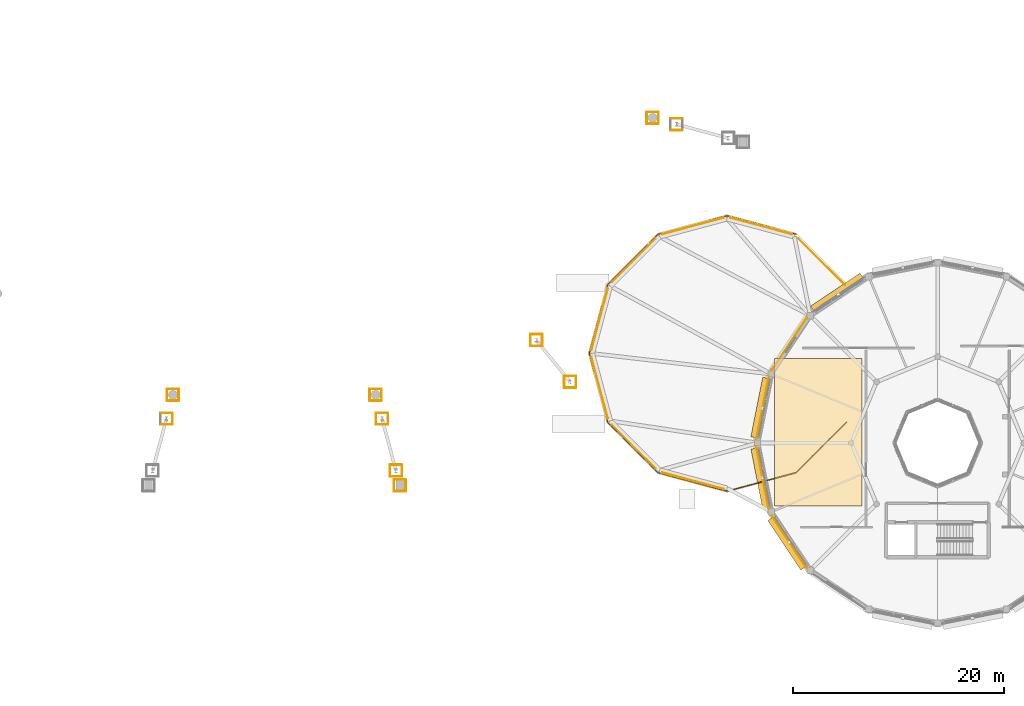
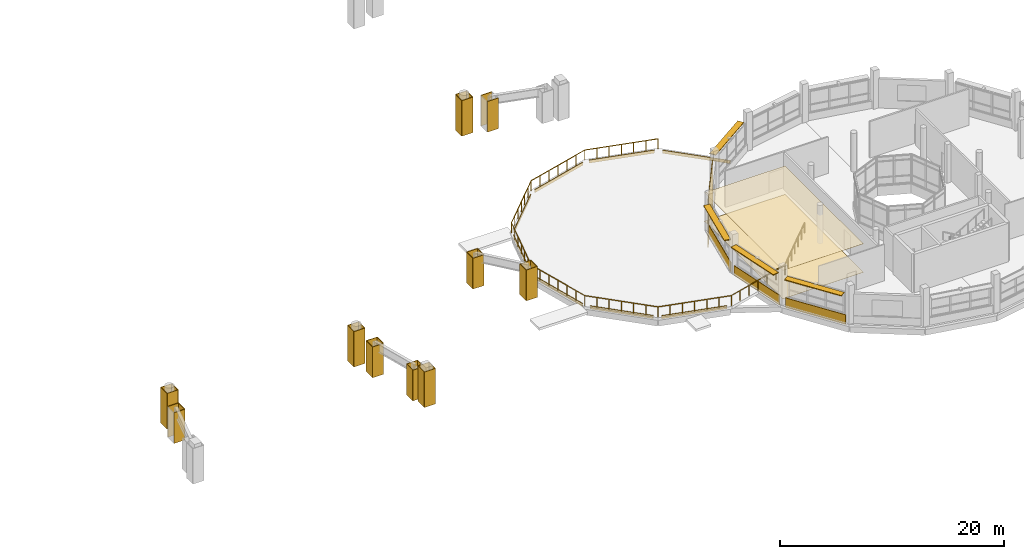
# One storey, part 122 of 128: 51 coverings, 4 shading devices, 1 railing.
"""IFC4 building model written with IfcOpenShell, lengths in metres."""

from ifc_helpers import new_model, si_unit, direction, frame, frame_2d, origin, origin_2d, place, context, subcontext, project, spatial, polyline, rectangle, circle, outline, extrude, material, layer, layer_set, type_object, element, save


model = new_model("IFC4")

# Units and contexts
model_context = context("Model", 3, precision=1e-05, world=origin(), true_north=direction((0.0, 1.0)))
body_context = subcontext(model_context, "Body", "Model", "MODEL_VIEW")
ifc_project = project(units=[si_unit("LENGTHUNIT", "METRE"), si_unit("AREAUNIT", "SQUARE_METRE"), si_unit("VOLUMEUNIT", "CUBIC_METRE"), si_unit("PLANEANGLEUNIT", "RADIAN"), si_unit("MASSUNIT", "GRAM", prefix="KILO")], contexts=[model_context])

# Site, building, storey
site_placement = place(None, origin())
site = spatial("IfcSite", under=ifc_project, at=site_placement, CompositionType="ELEMENT")
building_placement = place(site_placement, origin())
building = spatial("IfcBuilding", under=site, at=building_placement, Name="Vespera Passage Community Centre", CompositionType="ELEMENT")
storey_placement = place(building_placement, frame((0.0, 0.0, 4.5)))
storey = spatial("IfcBuildingStorey", under=building, at=storey_placement, Name="L01", CompositionType="ELEMENT", Elevation=4.5)

# Coverings
ifc_material_1 = material(Name="Acoustic mineral-fibre tile")
ifc_layer_1 = layer(ifc_material_1, 0.02490234375)
ifc_layer_set_1 = layer_set([ifc_layer_1], Name="Acoustic mineral-fibre tile")
covering_type_1 = type_object("IfcCoveringType", Name="COV-CEIL-25I", PredefinedType="CEILING", material=ifc_layer_set_1)
covering_1_placement = place(storey_placement, frame((0.0, 0.0, 3.10009765625)))
element("IfcCovering", 1, at=covering_1_placement, inside=storey, type_object=covering_type_1, Name="Banquet Mezzanine Acoustic Ceiling", PredefinedType="CEILING", context=body_context, shape_type="SweptSolid", body=[
    extrude(outline(polyline([(125.5, 19.0), (133.800048828125, 19.0), (133.800048828125, 33.0), (125.5, 33.0), (125.5, 19.0)])), origin(), (0.0, 0.0, 1.0), 0.02490234375),
])
ifc_material_2 = material(Name="Precast concrete f'c 40 MPa", Category="concrete")
ifc_layer_2 = layer(ifc_material_2, 0.06005859375)
ifc_layer_set_2 = layer_set([ifc_layer_2], Name="Precast concrete f'c 40 MPa")
covering_type_2 = type_object("IfcCoveringType", Name="COV-CLAD-60E", PredefinedType="CLADDING", material=ifc_layer_set_2)
covering_2_placement = place(storey_placement, frame((67.81201171875, 29.007568359375, 0.0), z_axis=(0.0, 0.0, 1.0), x_axis=(1.0, 0.0, 0.0)))
element("IfcCovering", 2, at=covering_2_placement, inside=storey, type_object=covering_type_2, Name="Pylon 17.0 I L01 White Architectural Casing 1", PredefinedType="CLADDING", context=body_context, shape_type="SweptSolid", body=[
    extrude(rectangle(XDim=1.119873046875, YDim=0.06005859375, at=frame_2d((0.56005859375, 0.0))), origin(), (0.0, 0.0, 1.0), 3.860107421875),
])
covering_3_placement = place(storey_placement, frame((68.931884765625, 29.007568359375, 0.0), z_axis=(0.0, 0.0, 1.0), x_axis=(0.0, 1.0, 0.0)))
element("IfcCovering", 3, at=covering_3_placement, inside=storey, type_object=covering_type_2, Name="Pylon 17.0 I L01 White Architectural Casing 2", PredefinedType="CLADDING", context=body_context, shape_type="SweptSolid", body=[
    extrude(rectangle(XDim=1.1201171875, YDim=0.06005859375, at=frame_2d((0.56005859375, 0.0))), origin(), (0.0, 0.0, 1.0), 3.860107421875),
])
covering_4_placement = place(storey_placement, frame((68.931884765625, 30.127685546875, 0.0), z_axis=(0.0, 0.0, 1.0), x_axis=(-1.0, 0.0, 0.0)))
element("IfcCovering", 4, at=covering_4_placement, inside=storey, type_object=covering_type_2, Name="Pylon 17.0 I L01 White Architectural Casing 3", PredefinedType="CLADDING", context=body_context, shape_type="SweptSolid", body=[
    extrude(rectangle(XDim=1.119873046875, YDim=0.06005859375, at=frame_2d((0.56005859375, 0.0))), origin(), (0.0, 0.0, 1.0), 3.860107421875),
])
covering_5_placement = place(storey_placement, frame((67.81201171875, 30.127685546875, 0.0), z_axis=(0.0, 0.0, 1.0), x_axis=(0.0, -1.0, 0.0)))
element("IfcCovering", 5, at=covering_5_placement, inside=storey, type_object=covering_type_2, Name="Pylon 17.0 I L01 White Architectural Casing 4", PredefinedType="CLADDING", context=body_context, shape_type="SweptSolid", body=[
    extrude(rectangle(XDim=1.1201171875, YDim=0.06005859375, at=frame_2d((0.56005859375, 0.0))), origin(), (0.0, 0.0, 1.0), 3.860107421875),
])
for number, where, z_axis, x_axis, name in (
    (6, (67.20361328125, 26.737548828125, 0.0), (0.0, 0.0, 1.0), (1.0, 0.0, 0.0), "Pylon 17.0 TI L01 White Architectural Casing 1"),
    (7, (68.32373046875, 26.737548828125, 0.0), (0.0, 0.0, 1.0), (0.0, 1.0, 0.0), "Pylon 17.0 TI L01 White Architectural Casing 2"),
    (8, (68.32373046875, 27.857666015625, 0.0), (0.0, 0.0, 1.0), (-1.0, 0.0, 0.0), "Pylon 17.0 TI L01 White Architectural Casing 3"),
):
    element("IfcCovering", number, at=place(storey_placement, frame(where, z_axis=z_axis, x_axis=x_axis)), inside=storey, type_object=covering_type_2, Name=name, PredefinedType="CLADDING", context=body_context, shape_type="SweptSolid", body=[
        extrude(rectangle(XDim=1.1201171875, YDim=0.06005859375, at=frame_2d((0.56005859375, 0.0))), origin(), (0.0, 0.0, 1.0), 3.35009765625),
    ])
covering_6_placement = place(storey_placement, frame((89.37158203125, 20.410888671875, 0.0), z_axis=(0.0, 0.0, 1.0), x_axis=(1.0, 0.0, 0.0)))
element("IfcCovering", 9, at=covering_6_placement, inside=storey, type_object=covering_type_2, Name="Pylon 19.0 O L01 White Architectural Casing 1", PredefinedType="CLADDING", context=body_context, shape_type="SweptSolid", body=[
    extrude(rectangle(XDim=1.1201171875, YDim=0.06005859375, at=frame_2d((0.56005859375, 0.0))), origin(), (0.0, 0.0, 1.0), 3.860107421875),
])
covering_7_placement = place(storey_placement, frame((90.49169921875, 20.410888671875, 0.0), z_axis=(0.0, 0.0, 1.0), x_axis=(0.0, 1.0, 0.0)))
element("IfcCovering", 10, at=covering_7_placement, inside=storey, type_object=covering_type_2, Name="Pylon 19.0 O L01 White Architectural Casing 2", PredefinedType="CLADDING", context=body_context, shape_type="SweptSolid", body=[
    extrude(rectangle(XDim=1.119873046875, YDim=0.06005859375, at=frame_2d((0.56005859375, 0.0))), origin(), (0.0, 0.0, 1.0), 3.860107421875),
])
covering_8_placement = place(storey_placement, frame((90.49169921875, 21.53076171875, 0.0), z_axis=(0.0, 0.0, 1.0), x_axis=(-1.0, 0.0, 0.0)))
element("IfcCovering", 11, at=covering_8_placement, inside=storey, type_object=covering_type_2, Name="Pylon 19.0 O L01 White Architectural Casing 3", PredefinedType="CLADDING", context=body_context, shape_type="SweptSolid", body=[
    extrude(rectangle(XDim=1.1201171875, YDim=0.06005859375, at=frame_2d((0.56005859375, 0.0))), origin(), (0.0, 0.0, 1.0), 3.860107421875),
])
for number, where, z_axis, x_axis, name in (
    (12, (89.37158203125, 21.53076171875, 0.0), (0.0, 0.0, 1.0), (0.0, -1.0, 0.0), "Pylon 19.0 O L01 White Architectural Casing 4"),
    (13, (87.068115234375, 29.007568359375, 0.0), (0.0, 0.0, 1.0), (1.0, 0.0, 0.0), "Pylon 19.0 I L01 White Architectural Casing 1"),
):
    element("IfcCovering", number, at=place(storey_placement, frame(where, z_axis=z_axis, x_axis=x_axis)), inside=storey, type_object=covering_type_2, Name=name, PredefinedType="CLADDING", context=body_context, shape_type="SweptSolid", body=[
        extrude(rectangle(XDim=1.119873046875, YDim=0.06005859375, at=frame_2d((0.56005859375, 0.0))), origin(), (0.0, 0.0, 1.0), 3.860107421875),
    ])
covering_9_placement = place(storey_placement, frame((88.18798828125, 29.007568359375, 0.0), z_axis=(0.0, 0.0, 1.0), x_axis=(0.0, 1.0, 0.0)))
element("IfcCovering", 14, at=covering_9_placement, inside=storey, type_object=covering_type_2, Name="Pylon 19.0 I L01 White Architectural Casing 2", PredefinedType="CLADDING", context=body_context, shape_type="SweptSolid", body=[
    extrude(rectangle(XDim=1.1201171875, YDim=0.06005859375, at=frame_2d((0.56005859375, 0.0))), origin(), (0.0, 0.0, 1.0), 3.860107421875),
])
covering_10_placement = place(storey_placement, frame((88.18798828125, 30.127685546875, 0.0), z_axis=(0.0, 0.0, 1.0), x_axis=(-1.0, 0.0, 0.0)))
element("IfcCovering", 15, at=covering_10_placement, inside=storey, type_object=covering_type_2, Name="Pylon 19.0 I L01 White Architectural Casing 3", PredefinedType="CLADDING", context=body_context, shape_type="SweptSolid", body=[
    extrude(rectangle(XDim=1.119873046875, YDim=0.06005859375, at=frame_2d((0.56005859375, 0.0))), origin(), (0.0, 0.0, 1.0), 3.860107421875),
])
covering_11_placement = place(storey_placement, frame((87.068115234375, 30.127685546875, 0.0), z_axis=(0.0, 0.0, 1.0), x_axis=(0.0, -1.0, 0.0)))
element("IfcCovering", 16, at=covering_11_placement, inside=storey, type_object=covering_type_2, Name="Pylon 19.0 I L01 White Architectural Casing 4", PredefinedType="CLADDING", context=body_context, shape_type="SweptSolid", body=[
    extrude(rectangle(XDim=1.1201171875, YDim=0.06005859375, at=frame_2d((0.56005859375, 0.0))), origin(), (0.0, 0.0, 1.0), 3.860107421875),
])
covering_12_placement = place(storey_placement, frame((88.996337890625, 21.811279296875, 0.0), z_axis=(0.0, 0.0, 1.0), x_axis=(1.0, 0.0, 0.0)))
element("IfcCovering", 17, at=covering_12_placement, inside=storey, type_object=covering_type_2, Name="Pylon 19.0 TO L01 White Architectural Casing 1", PredefinedType="CLADDING", context=body_context, shape_type="SweptSolid", body=[
    extrude(rectangle(XDim=1.119873046875, YDim=0.06005859375, at=frame_2d((0.56005859375, 0.0))), origin(), (0.0, 0.0, 1.0), 3.35009765625),
])
covering_13_placement = place(storey_placement, frame((90.1162109375, 21.811279296875, 0.0), z_axis=(0.0, 0.0, 1.0), x_axis=(0.0, 1.0, 0.0)))
element("IfcCovering", 18, at=covering_13_placement, inside=storey, type_object=covering_type_2, Name="Pylon 19.0 TO L01 White Architectural Casing 2", PredefinedType="CLADDING", context=body_context, shape_type="SweptSolid", body=[
    extrude(rectangle(XDim=1.1201171875, YDim=0.06005859375, at=frame_2d((0.56005859375, 0.0))), origin(), (0.0, 0.0, 1.0), 3.35009765625),
])
covering_14_placement = place(storey_placement, frame((90.1162109375, 22.931396484375, 0.0), z_axis=(0.0, 0.0, 1.0), x_axis=(-1.0, 0.0, 0.0)))
element("IfcCovering", 19, at=covering_14_placement, inside=storey, type_object=covering_type_2, Name="Pylon 19.0 TO L01 White Architectural Casing 3", PredefinedType="CLADDING", context=body_context, shape_type="SweptSolid", body=[
    extrude(rectangle(XDim=1.119873046875, YDim=0.06005859375, at=frame_2d((0.56005859375, 0.0))), origin(), (0.0, 0.0, 1.0), 3.35009765625),
])
for number, where, z_axis, x_axis, name in (
    (20, (88.996337890625, 22.931396484375, 0.0), (0.0, 0.0, 1.0), (0.0, -1.0, 0.0), "Pylon 19.0 TO L01 White Architectural Casing 4"),
    (21, (87.67626953125, 26.737548828125, 0.0), (0.0, 0.0, 1.0), (1.0, 0.0, 0.0), "Pylon 19.0 TI L01 White Architectural Casing 1"),
    (22, (88.79638671875, 26.737548828125, 0.0), (0.0, 0.0, 1.0), (0.0, 1.0, 0.0), "Pylon 19.0 TI L01 White Architectural Casing 2"),
    (23, (88.79638671875, 27.857666015625, 0.0), (0.0, 0.0, 1.0), (-1.0, 0.0, 0.0), "Pylon 19.0 TI L01 White Architectural Casing 3"),
    (24, (87.67626953125, 27.857666015625, 0.0), (0.0, 0.0, 1.0), (0.0, -1.0, 0.0), "Pylon 19.0 TI L01 White Architectural Casing 4"),
):
    element("IfcCovering", number, at=place(storey_placement, frame(where, z_axis=z_axis, x_axis=x_axis)), inside=storey, type_object=covering_type_2, Name=name, PredefinedType="CLADDING", context=body_context, shape_type="SweptSolid", body=[
        extrude(rectangle(XDim=1.1201171875, YDim=0.06005859375, at=frame_2d((0.56005859375, 0.0))), origin(), (0.0, 0.0, 1.0), 3.35009765625),
    ])
for number, where, z_axis, x_axis, name in (
    (25, (105.539306640625, 30.240478515625, 0.0), (0.0, 0.0, 1.0), (1.0, 0.0, 0.0), "Pylon 20.6 TO L01 White Architectural Casing 1"),
    (26, (106.6591796875, 30.240478515625, 0.0), (0.0, 0.0, 1.0), (0.0, 1.0, 0.0), "Pylon 20.6 TO L01 White Architectural Casing 2"),
    (27, (106.6591796875, 31.3603515625, 0.0), (0.0, 0.0, 1.0), (-1.0, 0.0, 0.0), "Pylon 20.6 TO L01 White Architectural Casing 3"),
    (28, (105.539306640625, 31.3603515625, 0.0), (0.0, 0.0, 1.0), (0.0, -1.0, 0.0), "Pylon 20.6 TO L01 White Architectural Casing 4"),
):
    element("IfcCovering", number, at=place(storey_placement, frame(where, z_axis=z_axis, x_axis=x_axis)), inside=storey, type_object=covering_type_2, Name=name, PredefinedType="CLADDING", context=body_context, shape_type="SweptSolid", body=[
        extrude(rectangle(XDim=1.119873046875, YDim=0.06005859375, at=frame_2d((0.56005859375, 0.0))), origin(), (0.0, 0.0, 1.0), 3.35009765625),
    ])
for number, where, z_axis, x_axis, name in (
    (29, (102.32958984375, 34.203857421875, 0.0), (0.0, 0.0, 1.0), (1.0, 0.0, 0.0), "Pylon 20.6 TI L01 White Architectural Casing 1"),
    (30, (103.44970703125, 34.203857421875, 0.0), (0.0, 0.0, 1.0), (0.0, 1.0, 0.0), "Pylon 20.6 TI L01 White Architectural Casing 2"),
    (31, (103.44970703125, 35.323974609375, 0.0), (0.0, 0.0, 1.0), (-1.0, 0.0, 0.0), "Pylon 20.6 TI L01 White Architectural Casing 3"),
    (32, (102.32958984375, 35.323974609375, 0.0), (0.0, 0.0, 1.0), (0.0, -1.0, 0.0), "Pylon 20.6 TI L01 White Architectural Casing 4"),
):
    element("IfcCovering", number, at=place(storey_placement, frame(where, z_axis=z_axis, x_axis=x_axis)), inside=storey, type_object=covering_type_2, Name=name, PredefinedType="CLADDING", context=body_context, shape_type="SweptSolid", body=[
        extrude(rectangle(XDim=1.1201171875, YDim=0.06005859375, at=frame_2d((0.56005859375, 0.0))), origin(), (0.0, 0.0, 1.0), 3.35009765625),
    ])
covering_15_placement = place(storey_placement, frame((113.372314453125, 55.31201171875, 0.0), z_axis=(0.0, 0.0, 1.0), x_axis=(1.0, 0.0, 0.0)))
element("IfcCovering", 33, at=covering_15_placement, inside=storey, type_object=covering_type_2, Name="Pylon 23.0 I L01 White Architectural Casing 1", PredefinedType="CLADDING", context=body_context, shape_type="SweptSolid", body=[
    extrude(rectangle(XDim=1.1201171875, YDim=0.06005859375, at=frame_2d((0.56005859375, 0.0))), origin(), (0.0, 0.0, 1.0), 3.860107421875),
])
covering_16_placement = place(storey_placement, frame((114.492431640625, 55.31201171875, 0.0), z_axis=(0.0, 0.0, 1.0), x_axis=(0.0, 1.0, 0.0)))
element("IfcCovering", 34, at=covering_16_placement, inside=storey, type_object=covering_type_2, Name="Pylon 23.0 I L01 White Architectural Casing 2", PredefinedType="CLADDING", context=body_context, shape_type="SweptSolid", body=[
    extrude(rectangle(XDim=1.119873046875, YDim=0.06005859375, at=frame_2d((0.56005859375, 0.0))), origin(), (0.0, 0.0, 1.0), 3.860107421875),
])
covering_17_placement = place(storey_placement, frame((114.492431640625, 56.431884765625, 0.0), z_axis=(0.0, 0.0, 1.0), x_axis=(-1.0, 0.0, 0.0)))
element("IfcCovering", 35, at=covering_17_placement, inside=storey, type_object=covering_type_2, Name="Pylon 23.0 I L01 White Architectural Casing 3", PredefinedType="CLADDING", context=body_context, shape_type="SweptSolid", body=[
    extrude(rectangle(XDim=1.1201171875, YDim=0.06005859375, at=frame_2d((0.56005859375, 0.0))), origin(), (0.0, 0.0, 1.0), 3.860107421875),
])
covering_18_placement = place(storey_placement, frame((113.372314453125, 56.431884765625, 0.0), z_axis=(0.0, 0.0, 1.0), x_axis=(0.0, -1.0, 0.0)))
element("IfcCovering", 36, at=covering_18_placement, inside=storey, type_object=covering_type_2, Name="Pylon 23.0 I L01 White Architectural Casing 4", PredefinedType="CLADDING", context=body_context, shape_type="SweptSolid", body=[
    extrude(rectangle(XDim=1.119873046875, YDim=0.06005859375, at=frame_2d((0.56005859375, 0.0))), origin(), (0.0, 0.0, 1.0), 3.860107421875),
])
for number, where, z_axis, x_axis, name in (
    (37, (115.642333984375, 54.70361328125, 0.0), (0.0, 0.0, 1.0), (1.0, 0.0, 0.0), "Pylon 23.0 TI L01 White Architectural Casing 1"),
    (38, (116.762451171875, 55.82373046875, 0.0), (0.0, 0.0, 1.0), (-1.0, 0.0, 0.0), "Pylon 23.0 TI L01 White Architectural Casing 3"),
):
    element("IfcCovering", number, at=place(storey_placement, frame(where, z_axis=z_axis, x_axis=x_axis)), inside=storey, type_object=covering_type_2, Name=name, PredefinedType="CLADDING", context=body_context, shape_type="SweptSolid", body=[
        extrude(rectangle(XDim=1.1201171875, YDim=0.06005859375, at=frame_2d((0.56005859375, 0.0))), origin(), (0.0, 0.0, 1.0), 3.35009765625),
    ])
covering_19_placement = place(storey_placement, frame((125.246826171875, 31.91748046875, -2.10009765625), z_axis=(0.0, 0.0, 1.0), x_axis=(0.555573083966, 0.831467707354, 0.0)))
element("IfcCovering", 39, at=covering_19_placement, inside=storey, type_object=covering_type_2, Name="V3 L01 Cafe Terrace Portal Band", PredefinedType="CLADDING", context=body_context, shape_type="SweptSolid", body=[
    extrude(rectangle(XDim=6.00048828125, YDim=0.06005859375, at=frame_2d((3.000244140625, 0.0))), origin(), (0.0, 0.0, 1.0), 5.295166015625),
])
for number, where, z_axis, x_axis, name in (
    (40, (123.7880859375, 25.30859375, -0.260009765625), (0.0, 0.0, 1.0), (0.195101780047, 0.98078300119, 0.0), "V3 L01 White Spandrel Band 8"),
    (41, (124.980224609375, 18.698486328125, -0.260009765625), (0.0, 0.0, 1.0), (-0.195101780047, 0.98078300119, 0.0), "V3 L01 White Spandrel Band 9"),
):
    element("IfcCovering", number, at=place(storey_placement, frame(where, z_axis=z_axis, x_axis=x_axis)), inside=storey, type_object=covering_type_2, Name=name, PredefinedType="CLADDING", context=body_context, shape_type="SweptSolid", body=[
        extrude(rectangle(XDim=6.1103515625, YDim=0.06005859375, at=frame_2d((3.05517578125, 0.0))), origin(), (0.0, 0.0, 1.0), 1.06005859375),
    ])
covering_20_placement = place(storey_placement, frame((128.58056640625, 13.09326171875, -0.260009765625), z_axis=(0.0, 0.0, 1.0), x_axis=(-0.555573083966, 0.831467707354, 0.0)))
element("IfcCovering", 42, at=covering_20_placement, inside=storey, type_object=covering_type_2, Name="V3 L01 White Spandrel Band 10", PredefinedType="CLADDING", context=body_context, shape_type="SweptSolid", body=[
    extrude(rectangle(XDim=6.00048828125, YDim=0.06005859375, at=frame_2d((3.000244140625, 0.0))), origin(), (0.0, 0.0, 1.0), 1.06005859375),
])
covering_21_placement = place(storey_placement, frame((127.802490234375, 44.423095703125, -0.320068359375), z_axis=(0.0, 0.0, 1.0), x_axis=(0.707106781187, -0.707106781187, 0.0)))
element("IfcCovering", 43, at=covering_21_placement, inside=storey, type_object=covering_type_2, Name="V3A L01 Terrace Edge White Band 2", PredefinedType="CLADDING", context=body_context, shape_type="SweptSolid", body=[
    extrude(rectangle(XDim=6.2265625, YDim=0.06005859375, at=frame_2d((3.11328125, 0.0))), origin(), (0.0, 0.0, 1.0), 0.340087890625),
])
for number, where, z_axis, x_axis, name in (
    (44, (121.31982421875, 46.390380859375, -0.320068359375), (0.0, 0.0, 1.0), (0.965923032946, -0.258829469776, 0.0), "V3A L01 Terrace Edge White Band 3"),
    (45, (114.831787109375, 44.8232421875, -0.320068359375), (0.0, 0.0, 1.0), (0.965923032946, 0.258829469776, 0.0), "V3A L01 Terrace Edge White Band 4"),
):
    element("IfcCovering", number, at=place(storey_placement, frame(where, z_axis=z_axis, x_axis=x_axis)), inside=storey, type_object=covering_type_2, Name=name, PredefinedType="CLADDING", context=body_context, shape_type="SweptSolid", body=[
        extrude(rectangle(XDim=6.0546875, YDim=0.06005859375, at=frame_2d((3.02734375, 0.0))), origin(), (0.0, 0.0, 1.0), 0.340087890625),
    ])
covering_22_placement = place(storey_placement, frame((110.076904296875, 40.302490234375, -0.320068359375), z_axis=(0.0, 0.0, 1.0), x_axis=(0.707106781187, 0.707106781187, 0.0)))
element("IfcCovering", 46, at=covering_22_placement, inside=storey, type_object=covering_type_2, Name="V3A L01 Terrace Edge White Band 5", PredefinedType="CLADDING", context=body_context, shape_type="SweptSolid", body=[
    extrude(rectangle(XDim=5.827392578125, YDim=0.06005859375, at=frame_2d((2.91357421875, 0.0))), origin(), (0.0, 0.0, 1.0), 0.340087890625),
])
for number, where, z_axis, x_axis, name in (
    (47, (108.109619140625, 33.81982421875, -0.320068359375), (0.0, 0.0, 1.0), (0.258829469776, 0.965923032946, 0.0), "V3A L01 Terrace Edge White Band 6"),
    (48, (109.6767578125, 27.331787109375, -0.320068359375), (0.0, 0.0, 1.0), (-0.258829469776, 0.965923032946, 0.0), "V3A L01 Terrace Edge White Band 7"),
):
    element("IfcCovering", number, at=place(storey_placement, frame(where, z_axis=z_axis, x_axis=x_axis)), inside=storey, type_object=covering_type_2, Name=name, PredefinedType="CLADDING", context=body_context, shape_type="SweptSolid", body=[
        extrude(rectangle(XDim=6.0546875, YDim=0.06005859375, at=frame_2d((3.02734375, 0.0))), origin(), (0.0, 0.0, 1.0), 0.340087890625),
    ])
covering_23_placement = place(storey_placement, frame((114.197509765625, 22.576904296875, -0.320068359375), z_axis=(0.0, 0.0, 1.0), x_axis=(-0.707106781187, 0.707106781187, 0.0)))
element("IfcCovering", 49, at=covering_23_placement, inside=storey, type_object=covering_type_2, Name="V3A L01 Terrace Edge White Band 8", PredefinedType="CLADDING", context=body_context, shape_type="SweptSolid", body=[
    extrude(rectangle(XDim=5.827392578125, YDim=0.06005859375, at=frame_2d((2.91357421875, 0.0))), origin(), (0.0, 0.0, 1.0), 0.340087890625),
])
covering_24_placement = place(storey_placement, frame((120.68017578125, 20.609619140625, -0.320068359375), z_axis=(0.0, 0.0, 1.0), x_axis=(-0.965923032946, 0.258829469776, 0.0)))
element("IfcCovering", 50, at=covering_24_placement, inside=storey, type_object=covering_type_2, Name="V3A L01 Terrace Edge White Band 9", PredefinedType="CLADDING", context=body_context, shape_type="SweptSolid", body=[
    extrude(rectangle(XDim=6.0546875, YDim=0.06005859375, at=frame_2d((3.02734375, 0.0))), origin(), (0.0, 0.0, 1.0), 0.340087890625),
])
ifc_material_3 = material(Name="Epoxy terrazzo flooring")
ifc_layer_3 = layer(ifc_material_3, 0.02001953125)
ifc_layer_set_3 = layer_set([ifc_layer_3], Name="Epoxy terrazzo flooring")
covering_type_3 = type_object("IfcCoveringType", Name="COV-FLOOR-20I", PredefinedType="FLOORING", material=ifc_layer_set_3)
covering_25_placement = place(storey_placement, origin())
element("IfcCovering", 51, at=covering_25_placement, inside=storey, type_object=covering_type_3, Name="Banquet Mezzanine Flooring", PredefinedType="FLOORING", context=body_context, shape_type="SweptSolid", body=[
    extrude(outline(polyline([(125.5, 19.0), (133.800048828125, 19.0), (133.800048828125, 33.0), (125.5, 33.0), (125.5, 19.0)])), origin(), (0.0, 0.0, 1.0), 0.02001953125),
])

# Railing
ifc_material_4 = material(Name="Steel ASTM A500 Grade C", Category="steel")
railing_type = type_object("IfcRailingType", Name="RL-EXT-1100E", PredefinedType="GUARDRAIL", material=ifc_material_4)
railing_placement = place(storey_placement, frame((127.5400390625, 44.82763671875, 0.0)))
element("IfcRailing", 52, at=railing_placement, inside=storey, type_object=railing_type, Name="V3A L01 Cafe Roof Terrace Perimeter Guard", PredefinedType="GUARDRAIL", context=body_context, shape_type="SweptSolid", body=[
    extrude(circle(Radius=0.02392578125, at=origin_2d()), frame((0.0, 0.0, 1.09619140625), z_axis=(-0.965924230401, 0.258825000964, 0.0), x_axis=(-0.258825000964, -0.965924230401, 0.0)), (0.0, 0.0, 1.0), 6.770751953125),
    extrude(circle(Radius=0.02392578125, at=origin_2d()), frame((-6.5400390625, 1.75244140625, 1.09619140625), z_axis=(-0.965924230401, -0.258825000964, 0.0), x_axis=(0.258825000964, -0.965924230401, 0.0)), (0.0, 0.0, 1.0), 6.770751953125),
    extrude(circle(Radius=0.02392578125, at=origin_2d()), frame((-13.080078125, 0.0, 1.09619140625), z_axis=(-0.707106781187, -0.707106781187, 0.0), x_axis=(0.707106781187, -0.707106781187, 0.0)), (0.0, 0.0, 1.0), 6.770751953125),
    extrude(circle(Radius=0.02392578125, at=origin_2d()), frame((-17.86767578125, -4.78759765625, 1.09619140625), z_axis=(-0.258825000964, -0.965924230401, 0.0), x_axis=(0.965924230401, -0.258825000964, 0.0)), (0.0, 0.0, 1.0), 6.770751953125),
    extrude(circle(Radius=0.02392578125, at=origin_2d()), frame((-19.6201171875, -11.32763671875, 1.09619140625), z_axis=(0.258825000964, -0.965924230401, 0.0), x_axis=(0.965924230401, 0.258825000964, 0.0)), (0.0, 0.0, 1.0), 6.770751953125),
    extrude(circle(Radius=0.02392578125, at=origin_2d()), frame((-17.86767578125, -17.86767578125, 1.09619140625), z_axis=(0.707106781187, -0.707106781187, 0.0), x_axis=(0.707106781187, 0.707106781187, 0.0)), (0.0, 0.0, 1.0), 6.770751953125),
    extrude(circle(Radius=0.02392578125, at=origin_2d()), frame((-13.080078125, -22.6552734375, 1.09619140625), z_axis=(0.965924230401, -0.258825000964, 0.0), x_axis=(0.258825000964, 0.965924230401, 0.0)), (0.0, 0.0, 1.0), 6.770751953125),
    extrude(circle(Radius=0.02392578125, at=origin_2d()), frame((-6.5400390625, -24.40771484375, 1.09619140625), z_axis=(0.965924230401, 0.258825000964, 0.0), x_axis=(-0.258825000964, 0.965924230401, 0.0)), (0.0, 0.0, 1.0), 6.770751953125),
    extrude(circle(Radius=0.02392578125, at=origin_2d()), frame((0.0, -22.6552734375, 1.09619140625), z_axis=(0.707106781187, 0.707106781187, 0.0), x_axis=(-0.707106781187, 0.707106781187, 0.0)), (0.0, 0.0, 1.0), 6.770751953125),
    extrude(circle(Radius=0.02099609375, at=origin_2d()), origin(), (0.0, 0.0, 1.0), 1.072021484375),
    extrude(circle(Radius=0.02099609375, at=origin_2d()), frame((-1.090087890625, 0.2919921875, 0.0)), (0.0, 0.0, 1.0), 1.072021484375),
    extrude(circle(Radius=0.02099609375, at=origin_2d()), frame((-2.179931640625, 0.584228515625, 0.0)), (0.0, 0.0, 1.0), 1.072021484375),
    extrude(circle(Radius=0.02099609375, at=origin_2d()), frame((-3.27001953125, 0.876220703125, 0.0)), (0.0, 0.0, 1.0), 1.072021484375),
    extrude(circle(Radius=0.02099609375, at=origin_2d()), frame((-4.360107421875, 1.168212890625, 0.0)), (0.0, 0.0, 1.0), 1.072021484375),
    extrude(circle(Radius=0.02099609375, at=origin_2d()), frame((-5.449951171875, 1.46044921875, 0.0)), (0.0, 0.0, 1.0), 1.072021484375),
    extrude(circle(Radius=0.02099609375, at=origin_2d()), frame((-6.5400390625, 1.75244140625, 0.0)), (0.0, 0.0, 1.0), 1.072021484375),
    extrude(circle(Radius=0.02099609375, at=origin_2d()), frame((-7.630126953125, 1.46044921875, 0.0)), (0.0, 0.0, 1.0), 1.072021484375),
    extrude(circle(Radius=0.02099609375, at=origin_2d()), frame((-8.719970703125, 1.168212890625, 0.0)), (0.0, 0.0, 1.0), 1.072021484375),
    extrude(circle(Radius=0.02099609375, at=origin_2d()), frame((-9.81005859375, 0.876220703125, 0.0)), (0.0, 0.0, 1.0), 1.072021484375),
    extrude(circle(Radius=0.02099609375, at=origin_2d()), frame((-10.900146484375, 0.584228515625, 0.0)), (0.0, 0.0, 1.0), 1.072021484375),
    extrude(circle(Radius=0.02099609375, at=origin_2d()), frame((-11.989990234375, 0.2919921875, 0.0)), (0.0, 0.0, 1.0), 1.072021484375),
    extrude(circle(Radius=0.02099609375, at=origin_2d()), frame((-13.080078125, 0.0, 0.0)), (0.0, 0.0, 1.0), 1.072021484375),
    extrude(circle(Radius=0.02099609375, at=origin_2d()), frame((-13.8779296875, -0.7978515625, 0.0)), (0.0, 0.0, 1.0), 1.072021484375),
    extrude(circle(Radius=0.02099609375, at=origin_2d()), frame((-14.676025390625, -1.595947265625, 0.0)), (0.0, 0.0, 1.0), 1.072021484375),
    extrude(circle(Radius=0.02099609375, at=origin_2d()), frame((-15.473876953125, -2.393798828125, 0.0)), (0.0, 0.0, 1.0), 1.072021484375),
    extrude(circle(Radius=0.02099609375, at=origin_2d()), frame((-16.271728515625, -3.191650390625, 0.0)), (0.0, 0.0, 1.0), 1.072021484375),
    extrude(circle(Radius=0.02099609375, at=origin_2d()), frame((-17.06982421875, -3.98974609375, 0.0)), (0.0, 0.0, 1.0), 1.072021484375),
    extrude(circle(Radius=0.02099609375, at=origin_2d()), frame((-17.86767578125, -4.78759765625, 0.0)), (0.0, 0.0, 1.0), 1.072021484375),
    extrude(circle(Radius=0.02099609375, at=origin_2d()), frame((-18.15966796875, -5.877685546875, 0.0)), (0.0, 0.0, 1.0), 1.072021484375),
    extrude(circle(Radius=0.02099609375, at=origin_2d()), frame((-18.451904296875, -6.967529296875, 0.0)), (0.0, 0.0, 1.0), 1.072021484375),
    extrude(circle(Radius=0.02099609375, at=origin_2d()), frame((-18.743896484375, -8.0576171875, 0.0)), (0.0, 0.0, 1.0), 1.072021484375),
    extrude(circle(Radius=0.02099609375, at=origin_2d()), frame((-19.035888671875, -9.147705078125, 0.0)), (0.0, 0.0, 1.0), 1.072021484375),
    extrude(circle(Radius=0.02099609375, at=origin_2d()), frame((-19.328125, -10.237548828125, 0.0)), (0.0, 0.0, 1.0), 1.072021484375),
    extrude(circle(Radius=0.02099609375, at=origin_2d()), frame((-19.6201171875, -11.32763671875, 0.0)), (0.0, 0.0, 1.0), 1.072021484375),
    extrude(circle(Radius=0.02099609375, at=origin_2d()), frame((-19.328125, -12.417724609375, 0.0)), (0.0, 0.0, 1.0), 1.072021484375),
    extrude(circle(Radius=0.02099609375, at=origin_2d()), frame((-19.035888671875, -13.507568359375, 0.0)), (0.0, 0.0, 1.0), 1.072021484375),
    extrude(circle(Radius=0.02099609375, at=origin_2d()), frame((-18.743896484375, -14.59765625, 0.0)), (0.0, 0.0, 1.0), 1.072021484375),
    extrude(circle(Radius=0.02099609375, at=origin_2d()), frame((-18.451904296875, -15.687744140625, 0.0)), (0.0, 0.0, 1.0), 1.072021484375),
    extrude(circle(Radius=0.02099609375, at=origin_2d()), frame((-18.15966796875, -16.777587890625, 0.0)), (0.0, 0.0, 1.0), 1.072021484375),
    extrude(circle(Radius=0.02099609375, at=origin_2d()), frame((-17.86767578125, -17.86767578125, 0.0)), (0.0, 0.0, 1.0), 1.072021484375),
    extrude(circle(Radius=0.02099609375, at=origin_2d()), frame((-17.06982421875, -18.66552734375, 0.0)), (0.0, 0.0, 1.0), 1.072021484375),
    extrude(circle(Radius=0.02099609375, at=origin_2d()), frame((-16.271728515625, -19.463623046875, 0.0)), (0.0, 0.0, 1.0), 1.072021484375),
    extrude(circle(Radius=0.02099609375, at=origin_2d()), frame((-15.473876953125, -20.261474609375, 0.0)), (0.0, 0.0, 1.0), 1.072021484375),
    extrude(circle(Radius=0.02099609375, at=origin_2d()), frame((-14.676025390625, -21.059326171875, 0.0)), (0.0, 0.0, 1.0), 1.072021484375),
    extrude(circle(Radius=0.02099609375, at=origin_2d()), frame((-13.8779296875, -21.857421875, 0.0)), (0.0, 0.0, 1.0), 1.072021484375),
    extrude(circle(Radius=0.02099609375, at=origin_2d()), frame((-13.080078125, -22.6552734375, 0.0)), (0.0, 0.0, 1.0), 1.072021484375),
    extrude(circle(Radius=0.02099609375, at=origin_2d()), frame((-11.989990234375, -22.947265625, 0.0)), (0.0, 0.0, 1.0), 1.072021484375),
    extrude(circle(Radius=0.02099609375, at=origin_2d()), frame((-10.900146484375, -23.239501953125, 0.0)), (0.0, 0.0, 1.0), 1.072021484375),
    extrude(circle(Radius=0.02099609375, at=origin_2d()), frame((-9.81005859375, -23.531494140625, 0.0)), (0.0, 0.0, 1.0), 1.072021484375),
    extrude(circle(Radius=0.02099609375, at=origin_2d()), frame((-8.719970703125, -23.823486328125, 0.0)), (0.0, 0.0, 1.0), 1.072021484375),
    extrude(circle(Radius=0.02099609375, at=origin_2d()), frame((-7.630126953125, -24.11572265625, 0.0)), (0.0, 0.0, 1.0), 1.072021484375),
    extrude(circle(Radius=0.02099609375, at=origin_2d()), frame((-6.5400390625, -24.40771484375, 0.0)), (0.0, 0.0, 1.0), 1.072021484375),
    extrude(circle(Radius=0.02099609375, at=origin_2d()), frame((-5.449951171875, -24.11572265625, 0.0)), (0.0, 0.0, 1.0), 1.072021484375),
    extrude(circle(Radius=0.02099609375, at=origin_2d()), frame((-4.360107421875, -23.823486328125, 0.0)), (0.0, 0.0, 1.0), 1.072021484375),
    extrude(circle(Radius=0.02099609375, at=origin_2d()), frame((-3.27001953125, -23.531494140625, 0.0)), (0.0, 0.0, 1.0), 1.072021484375),
    extrude(circle(Radius=0.02099609375, at=origin_2d()), frame((-2.179931640625, -23.239501953125, 0.0)), (0.0, 0.0, 1.0), 1.072021484375),
    extrude(circle(Radius=0.02099609375, at=origin_2d()), frame((-1.090087890625, -22.947265625, 0.0)), (0.0, 0.0, 1.0), 1.072021484375),
    extrude(circle(Radius=0.02099609375, at=origin_2d()), frame((0.0, -22.6552734375, 0.0)), (0.0, 0.0, 1.0), 1.072021484375),
    extrude(circle(Radius=0.02099609375, at=origin_2d()), frame((0.7978515625, -21.857421875, 0.0)), (0.0, 0.0, 1.0), 1.072021484375),
    extrude(circle(Radius=0.02099609375, at=origin_2d()), frame((1.595947265625, -21.059326171875, 0.0)), (0.0, 0.0, 1.0), 1.072021484375),
    extrude(circle(Radius=0.02099609375, at=origin_2d()), frame((2.393798828125, -20.261474609375, 0.0)), (0.0, 0.0, 1.0), 1.072021484375),
    extrude(circle(Radius=0.02099609375, at=origin_2d()), frame((3.191650390625, -19.463623046875, 0.0)), (0.0, 0.0, 1.0), 1.072021484375),
    extrude(circle(Radius=0.02099609375, at=origin_2d()), frame((3.98974609375, -18.66552734375, 0.0)), (0.0, 0.0, 1.0), 1.072021484375),
    extrude(circle(Radius=0.02099609375, at=origin_2d()), frame((4.78759765625, -17.86767578125, 0.0)), (0.0, 0.0, 1.0), 1.072021484375),
])

# Shading devices
ifc_material_5 = material(Name="Anodized aluminium 6063-T6", Category="aluminium")
shading_device_type = type_object("IfcShadingDeviceType", Name="SHD-EYEBROW", PredefinedType="JALOUSIE", material=ifc_material_5)
shading_device_1_placement = place(storey_placement, frame((131.43798828125, 39.310791015625, 3.10498046875), z_axis=(0.0, 0.0, 1.0), x_axis=(0.831479308706, 0.555555721053, 0.0)))
element("IfcShadingDevice", 53, at=shading_device_1_placement, inside=storey, type_object=shading_device_type, Name="V3 L01 Solar Eyebrow 6", PredefinedType="JALOUSIE", context=body_context, shape_type="SweptSolid", body=[
    extrude(rectangle(XDim=5.650390625, YDim=0.60009765625, at=origin_2d()), origin(), (0.0, 0.0, 1.0), 0.080078125),
])
for number, where, z_axis, x_axis, name in (
    (54, (124.119384765625, 28.35791015625, 3.10498046875), (0.0, 0.0, 1.0), (0.195090322016, 0.980785280403, 0.0), "V3 L01 Solar Eyebrow 8"),
    (55, (124.119384765625, 21.64208984375, 3.10498046875), (0.0, 0.0, 1.0), (-0.195090322016, 0.980785280403, 0.0), "V3 L01 Solar Eyebrow 9"),
):
    element("IfcShadingDevice", number, at=place(storey_placement, frame(where, z_axis=z_axis, x_axis=x_axis)), inside=storey, type_object=shading_device_type, Name=name, PredefinedType="JALOUSIE", context=body_context, shape_type="SweptSolid", body=[
        extrude(rectangle(XDim=5.76025390625, YDim=0.60009765625, at=origin_2d()), origin(), (0.0, 0.0, 1.0), 0.080078125),
    ])
shading_device_2_placement = place(storey_placement, frame((126.689208984375, 15.43798828125, 3.10498046875), z_axis=(0.0, 0.0, 1.0), x_axis=(-0.555555721053, 0.831479308706, 0.0)))
element("IfcShadingDevice", 56, at=shading_device_2_placement, inside=storey, type_object=shading_device_type, Name="V3 L01 Solar Eyebrow 10", PredefinedType="JALOUSIE", context=body_context, shape_type="SweptSolid", body=[
    extrude(rectangle(XDim=5.650390625, YDim=0.60009765625, at=origin_2d()), origin(), (0.0, 0.0, 1.0), 0.080078125),
])

save(model, "model.ifc")
